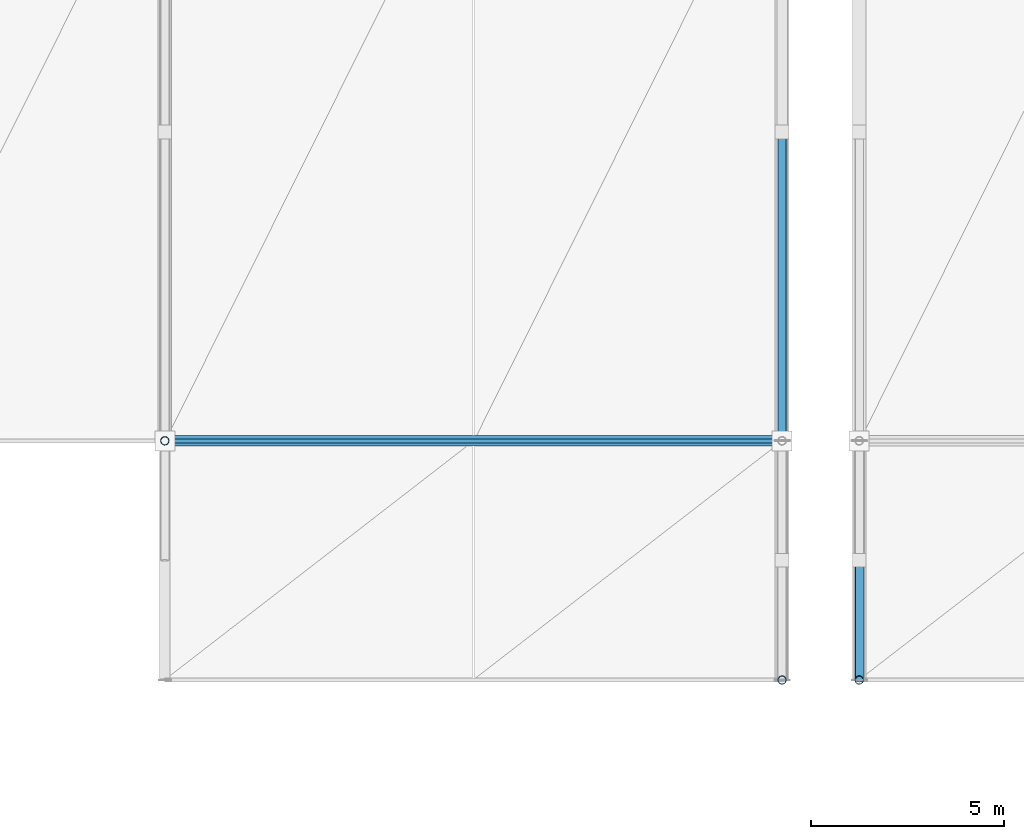
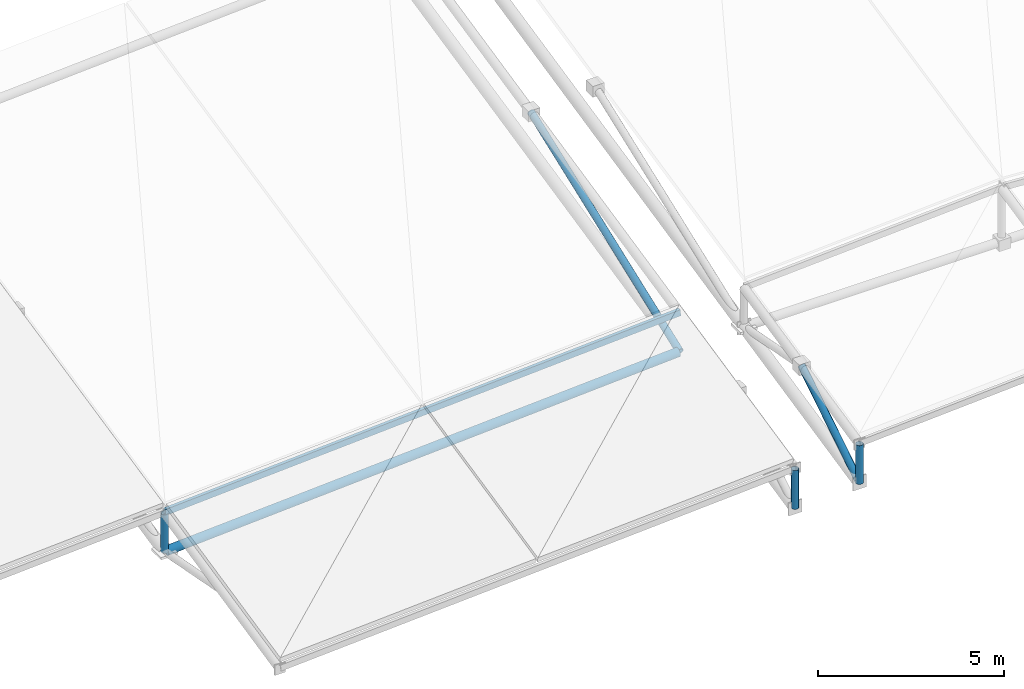
# One storey, part 14 of 67: 6 members, 1 beam.
"""IFC4 building model written with IfcOpenShell, lengths in metres."""

from ifc_helpers import new_model, si_unit, direction, frame, origin, origin_2d, place, context, subcontext, project, spatial, hollow_rectangle, hollow_circle, extrude, material, material_profile, profile_set, type_object, element, save


model = new_model("IFC4")

# Units and contexts
model_context = context("Model", 3, precision=1e-05, world=origin(), true_north=direction((0.0, 1.0)))
body_context = subcontext(model_context, "Body", "Model", "MODEL_VIEW")
ifc_project = project(units=[si_unit("LENGTHUNIT", "METRE"), si_unit("AREAUNIT", "SQUARE_METRE"), si_unit("VOLUMEUNIT", "CUBIC_METRE"), si_unit("PLANEANGLEUNIT", "RADIAN"), si_unit("MASSUNIT", "GRAM", prefix="KILO")], contexts=[model_context])

# Site, building, storey
site_placement = place(None, origin())
site = spatial("IfcSite", under=ifc_project, at=site_placement, CompositionType="ELEMENT")
building_placement = place(site_placement, origin())
building = spatial("IfcBuilding", under=site, at=building_placement, Name="Drelvath Fold Interchange", CompositionType="ELEMENT")
storey_placement = place(building_placement, frame((0.0, 0.0, 15.60009765625)))
storey = spatial("IfcBuildingStorey", under=building, at=storey_placement, Name="L03", CompositionType="ELEMENT", Elevation=15.60009765625)

# Member
ifc_material = material(Name="Steel ASTM A500 Grade C", Category="steel")
ifc_material_profile_1 = material_profile(ifc_material, hollow_rectangle(XDim=0.10205078125, YDim=0.202880859375, WallThickness=0.00732421875, at=origin_2d()), Name="HSS8X4X5/16")
ifc_profile_set_1 = profile_set([ifc_material_profile_1], Name="Steel ASTM A500 Grade C")
member_type_1 = type_object("IfcMemberType", Name="PR-HSS203", PredefinedType="PURLIN", material=ifc_profile_set_1)
member_1_placement = place(storey_placement, frame((84.0, 27.0, 1.35595703125), z_axis=(0.998194047838, 0.0, 0.060071980662), x_axis=(0.0, 1.0, 0.0)))
element("IfcMember", 1, at=member_1_placement, inside=storey, type_object=member_type_1, Name="L03 Space frame canopy purlin PR-HSS203", PredefinedType="PURLIN", context=body_context, shape_type="SweptSolid", body=[
    extrude(hollow_rectangle(XDim=0.10205078125, YDim=0.202880859375, WallThickness=0.00732421875, at=origin_2d()), origin(), (0.0, 0.0, 1.0), 16.029052734375),
])

# Beam
ifc_material_profile_2 = material_profile(ifc_material, hollow_circle(Radius=0.136474609375, WallThickness=0.01171875, at=origin_2d()), Name="HSS10.750X0.500")
ifc_profile_set_2 = profile_set([ifc_material_profile_2], Name="Steel ASTM A500 Grade C")
beam_type = type_object("IfcBeamType", Name="SF-TIE273", PredefinedType="BEAM", material=ifc_profile_set_2)
beam_placement = place(storey_placement, frame((84.050048828125, 27.0, 0.053955078125), z_axis=(0.998171300091, 0.0, 0.060448785547), x_axis=(0.0, 1.0, 0.0)))
element("IfcBeam", 2, at=beam_placement, inside=storey, type_object=beam_type, Name="Space frame roof truss longitudinal tie WEST", PredefinedType="BEAM", context=body_context, shape_type="SweptSolid", body=[
    extrude(hollow_circle(Radius=0.136474609375, WallThickness=0.01171875, at=origin_2d()), origin(), (0.0, 0.0, 1.0), 15.928955078125),
])

# Members
ifc_material_profile_3 = material_profile(ifc_material, hollow_circle(Radius=0.109619140625, WallThickness=0.0087890625, at=origin_2d()), Name="HSS8.625X0.375")
ifc_profile_set_3 = profile_set([ifc_material_profile_3], Name="Steel ASTM A500 Grade C")
member_type_2 = type_object("IfcMemberType", Name="SF-WEB219", PredefinedType="BRACE", material=ifc_profile_set_3)
member_2_placement = place(storey_placement, frame((84.0, 27.0, 0.053955078125), z_axis=(0.0, 0.0, 1.0), x_axis=(1.0, 0.0, 0.0)))
element("IfcMember", 3, at=member_2_placement, inside=storey, type_object=member_type_2, Name="L03 Space frame roof truss web brace SF-WEB219", PredefinedType="BRACE", context=body_context, shape_type="SweptSolid", body=[
    extrude(hollow_circle(Radius=0.109619140625, WallThickness=0.0087890625, at=origin_2d()), origin(), (0.0, 0.0, 1.0), 1.27001953125),
])
member_3_placement = place(storey_placement, frame((100.0, 27.0, 1.016845703125), z_axis=(0.0, 0.935783496416, 0.352575166222), x_axis=(-1.0, 0.0, 0.0)))
element("IfcMember", 4, at=member_3_placement, inside=storey, type_object=member_type_2, Name="L03 Space frame roof truss web brace SF-WEB219", PredefinedType="BRACE", context=body_context, shape_type="SweptSolid", body=[
    extrude(hollow_circle(Radius=0.109619140625, WallThickness=0.0087890625, at=origin_2d()), origin(), (0.0, 0.0, 1.0), 8.549072265625),
])
member_4_placement = place(storey_placement, frame((100.0, 20.800048828125, -0.335205078125), z_axis=(0.0, 0.0, 1.0), x_axis=(1.0, 0.0, 0.0)))
element("IfcMember", 5, at=member_4_placement, inside=storey, type_object=member_type_2, Name="L03 Space frame roof truss web brace SF-WEB219", PredefinedType="BRACE", context=body_context, shape_type="SweptSolid", body=[
    extrude(hollow_circle(Radius=0.109619140625, WallThickness=0.0087890625, at=origin_2d()), origin(), (0.0, 0.0, 1.0), 1.27001953125),
])
member_5_placement = place(storey_placement, frame((102.0, 20.800048828125, -0.215087890625), z_axis=(0.0, 0.84693609346, 0.531694699612), x_axis=(-1.0, 0.0, 0.0)))
element("IfcMember", 6, at=member_5_placement, inside=storey, type_object=member_type_2, Name="L03 Space frame roof truss web brace SF-WEB219", PredefinedType="BRACE", context=body_context, shape_type="SweptSolid", body=[
    extrude(hollow_circle(Radius=0.109619140625, WallThickness=0.0087890625, at=origin_2d()), origin(), (0.0, 0.0, 1.0), 3.66015625),
])
member_6_placement = place(storey_placement, frame((102.0, 20.800048828125, -0.215087890625), z_axis=(0.0, 0.0, 1.0), x_axis=(1.0, 0.0, 0.0)))
element("IfcMember", 7, at=member_6_placement, inside=storey, type_object=member_type_2, Name="L03 Space frame roof truss web brace SF-WEB219", PredefinedType="BRACE", context=body_context, shape_type="SweptSolid", body=[
    extrude(hollow_circle(Radius=0.109619140625, WallThickness=0.0087890625, at=origin_2d()), origin(), (0.0, 0.0, 1.0), 1.27001953125),
])

save(model, "model.ifc")
